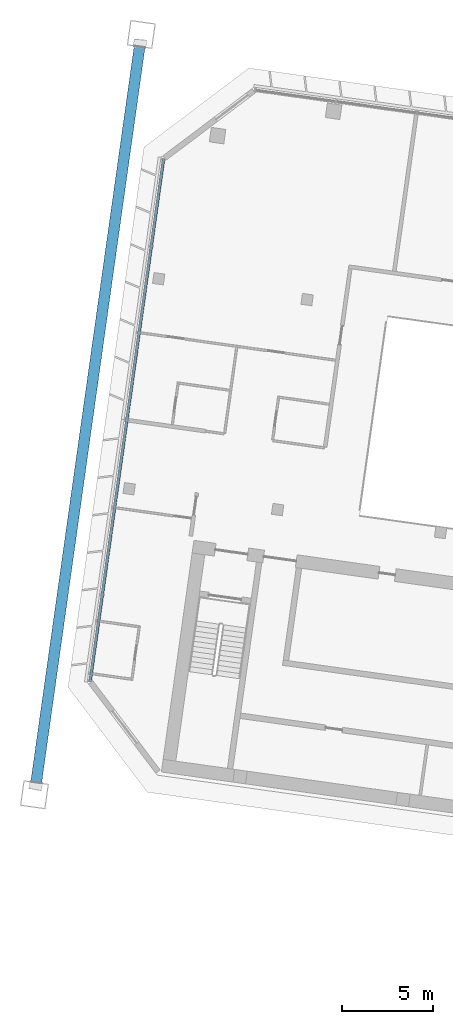
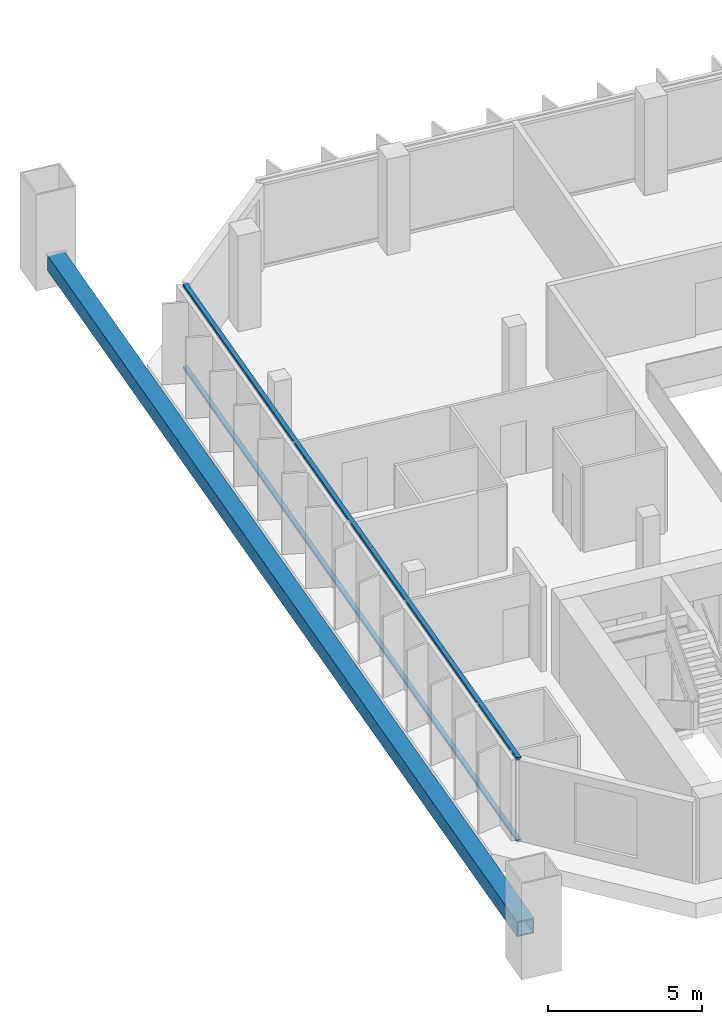
# One storey, part 3 of 31: 3 members, 1 element without a shape of its own.
"""IFC4 building model written with IfcOpenShell, lengths in metres."""

from ifc_helpers import new_model, si_unit, direction, frame, origin, origin_2d, place, context, subcontext, project, spatial, rectangle, hollow_rectangle, extrude, material, material_profile, profile_set, type_object, element, aggregate, save


model = new_model("IFC4")

# Units and contexts
model_context = context("Model", 3, precision=1e-05, world=origin(), true_north=direction((0.0, 1.0)))
body_context = subcontext(model_context, "Body", "Model", "MODEL_VIEW")
ifc_project = project(units=[si_unit("LENGTHUNIT", "METRE"), si_unit("AREAUNIT", "SQUARE_METRE"), si_unit("VOLUMEUNIT", "CUBIC_METRE"), si_unit("PLANEANGLEUNIT", "RADIAN"), si_unit("MASSUNIT", "GRAM", prefix="KILO")], contexts=[model_context])

# Site, building, storey
site_placement = place(None, origin())
site = spatial("IfcSite", under=ifc_project, at=site_placement, CompositionType="ELEMENT")
building_placement = place(site_placement, origin())
building = spatial("IfcBuilding", under=site, at=building_placement, Name="Mirante Cascada Hotel Towers", CompositionType="ELEMENT")
storey_placement = place(building_placement, frame((0.0, 0.0, 157.4)))
storey = spatial("IfcBuildingStorey", under=building, at=storey_placement, Name="L36", CompositionType="ELEMENT", Elevation=157.4)

# Member
ifc_material_1 = material(Name="Steel ASTM A572 Gr 50", Category="steel")
ifc_material_profile_1 = material_profile(ifc_material_1, hollow_rectangle(XDim=0.6, YDim=0.6, WallThickness=0.04, at=origin_2d()), Name="Box chord 600x600x40 ASTM A572 Gr 50")
ifc_profile_set_1 = profile_set([ifc_material_profile_1], Name="Steel ASTM A572 Gr 50")
member_type_1 = type_object("IfcMemberType", Name="Box chord 600x600x40 ASTM A572 Gr 50", PredefinedType="CHORD", material=ifc_profile_set_1)
member_1_placement = place(storey_placement, frame((-97.1954, -13.076, 1.0), z_axis=(0.1391732, 0.9902681, 0.0), x_axis=(-0.9902681, 0.1391732, 0.0)))
element("IfcMember", 1, at=member_1_placement, inside=storey, type_object=member_type_1, Name="exochord T1 L36 1", PredefinedType="CHORD", context=body_context, shape_type="SweptSolid", body=[
    extrude(hollow_rectangle(XDim=0.6, YDim=0.6, WallThickness=0.04, at=origin_2d()), origin(), (0.0, 0.0, 1.0), 40.64),
])

# Curtain wall, members
ifc_material_2 = material(Name="Aluminium mullion and transom frame with clear laminated glass", Category="aluminium")
curtain_wall_type = type_object("IfcCurtainWallType", Name="End ribbon curtain wall ECW2", PredefinedType="NOTDEFINED", material=ifc_material_2)
curtain_wall_placement = place(storey_placement, origin())
curtain_wall = element("IfcCurtainWall", 2, at=curtain_wall_placement, inside=storey, type_object=curtain_wall_type, Name="Outer end wall T1 L36", PredefinedType="NOTDEFINED")
ifc_material_3 = material(Name="Anodised aluminium extrusion", Category="aluminium")
ifc_material_profile_2 = material_profile(ifc_material_3, rectangle(XDim=0.16, YDim=0.1, at=origin_2d()), Name="ECW2 TRANSOM 100x160")
ifc_profile_set_2 = profile_set([ifc_material_profile_2], Name="Anodised aluminium extrusion")
member_type_2 = type_object("IfcMemberType", Name="ECW2 transom 100x160", PredefinedType="USERDEFINED", material=ifc_profile_set_2)
member_2_placement = place(storey_placement, frame((-94.2477, -7.5503, 0.05), z_axis=(0.1391723, 0.9902682, 0.0), x_axis=(-0.9902682, 0.1391723, 0.0)))
member_2 = element("IfcMember", 3, at=member_2_placement, type_object=member_type_2, Name="ECW2 sill transom", ObjectType="TRANSOM", PredefinedType="USERDEFINED", context=body_context, shape_type="SweptSolid", body=[
    extrude(rectangle(XDim=0.16, YDim=0.1, at=origin_2d()), origin(), (0.0, 0.0, 1.0), 28.8757),
])
member_3_placement = place(storey_placement, frame((-94.2477, -7.5503, 3.3), z_axis=(0.1391723, 0.9902682, 0.0), x_axis=(-0.9902682, 0.1391723, 0.0)))
member_3 = element("IfcMember", 4, at=member_3_placement, type_object=member_type_2, Name="ECW2 head transom", ObjectType="TRANSOM", PredefinedType="USERDEFINED", context=body_context, shape_type="SweptSolid", body=[
    extrude(rectangle(XDim=0.16, YDim=0.1, at=origin_2d()), origin(), (0.0, 0.0, 1.0), 28.8757),
])
aggregate(curtain_wall, [member_2, member_3])

save(model, "model.ifc")
